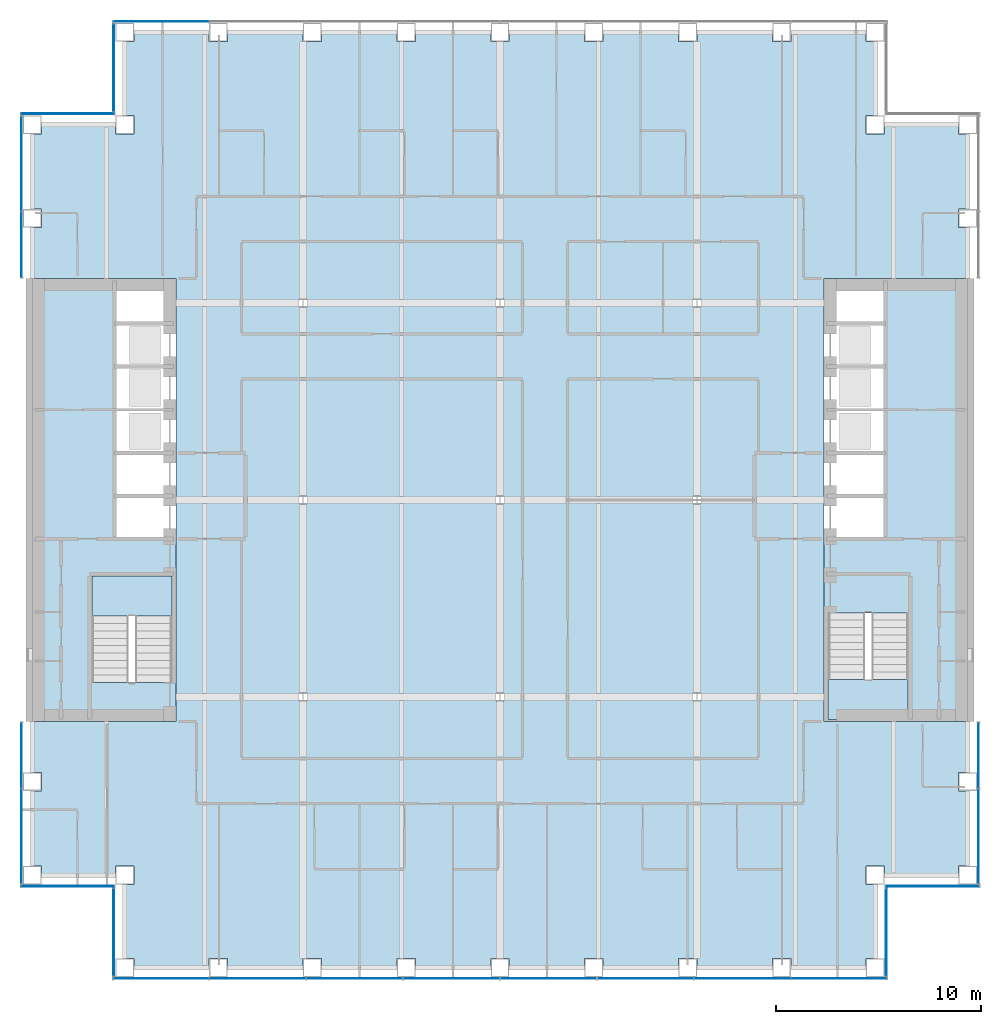
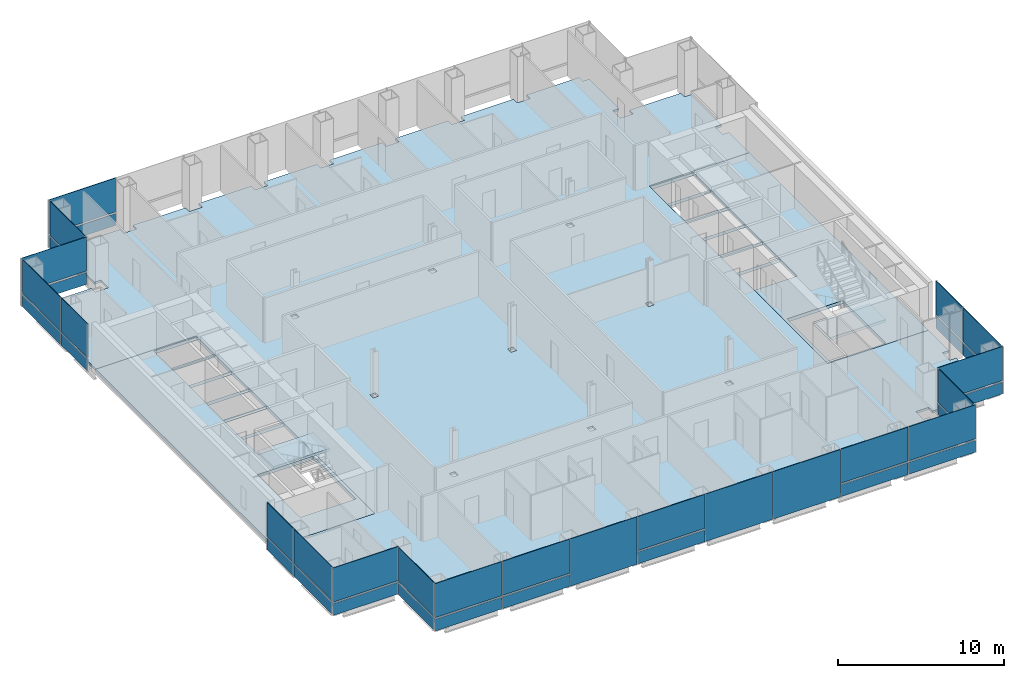
# One storey, part 9 of 16: 39 plates, 5 slabs, 13 elements without a shape of their own.
"""IFC4 building model written with IfcOpenShell, lengths in metres."""

from ifc_helpers import new_model, si_unit, direction, frame, origin, origin_2d, place, context, subcontext, project, spatial, polyline, rectangle, outline, extrude, material, layer, layer_set, type_object, element, aggregate, save


model = new_model("IFC4")

# Units and contexts
model_context = context("Model", 3, precision=1e-05, world=origin(), true_north=direction((0.0, 1.0)))
body_context = subcontext(model_context, "Body", "Model", "MODEL_VIEW")
ifc_project = project(units=[si_unit("LENGTHUNIT", "METRE"), si_unit("AREAUNIT", "SQUARE_METRE"), si_unit("VOLUMEUNIT", "CUBIC_METRE"), si_unit("PLANEANGLEUNIT", "RADIAN"), si_unit("MASSUNIT", "GRAM", prefix="KILO")], contexts=[model_context])

# Site, building, storey
site_placement = place(None, origin())
site = spatial("IfcSite", under=ifc_project, at=site_placement, CompositionType="ELEMENT")
building_placement = place(site_placement, origin())
building = spatial("IfcBuilding", under=site, at=building_placement, Name="Cobrizo Arcos Hotel Tower", CompositionType="ELEMENT")
storey_placement = place(building_placement, frame((0.0, 0.0, 92.5)))
storey = spatial("IfcBuildingStorey", under=building, at=storey_placement, Name="L22", CompositionType="ELEMENT", Elevation=92.5)

# Curtain wall, plates
ifc_material_1 = material(Name="Aluminium 6063-T6 anodised bronze", Category="aluminium")
curtain_wall_type = type_object("IfcCurtainWallType", Name="CW-A guest facade", PredefinedType="NOTDEFINED", material=ifc_material_1)
curtain_wall_1_placement = place(storey_placement, origin())
curtain_wall_1 = element("IfcCurtainWall", 1, at=curtain_wall_1_placement, inside=storey, type_object=curtain_wall_type, Name="CW-A L22 S face", PredefinedType="NOTDEFINED")
ifc_material_2 = material(Name="Glass clear laminated low-e", Category="glass")
ifc_layer_1 = layer(ifc_material_2, 0.0400390625)
ifc_layer_set_1 = layer_set([ifc_layer_1], Name="CW-A glass panel")
plate_type_1 = type_object("IfcPlateType", Name="CW-A glass panel", PredefinedType="CURTAIN_PANEL", material=ifc_layer_set_1)
plate_1_placement = place(storey_placement, frame((-16.5224609375, -23.324951171875, 0.990234375), z_axis=(0.0, 0.0, 1.0), x_axis=(1.0, 0.0, 0.0)))
plate_1 = element("IfcPlate", 2, at=plate_1_placement, type_object=plate_type_1, Name="CW-A glass panel 883", PredefinedType="CURTAIN_PANEL", context=body_context, shape_type="SweptSolid", body=[
    extrude(rectangle(XDim=4.635009765625, YDim=0.0400390625, at=origin_2d()), origin(), (0.0, 0.0, 1.0), 2.510009765625),
])
plate_2_placement = place(storey_placement, frame((-11.8125, -23.324951171875, 0.990234375), z_axis=(0.0, 0.0, 1.0), x_axis=(1.0, 0.0, 0.0)))
plate_2 = element("IfcPlate", 3, at=plate_2_placement, type_object=plate_type_1, Name="CW-A glass panel 884", PredefinedType="CURTAIN_PANEL", context=body_context, shape_type="SweptSolid", body=[
    extrude(rectangle(XDim=4.6650390625, YDim=0.0400390625, at=origin_2d()), origin(), (0.0, 0.0, 1.0), 2.510009765625),
])
plate_3_placement = place(storey_placement, frame((-2.362548828125, -23.324951171875, 0.990234375), z_axis=(0.0, 0.0, 1.0), x_axis=(1.0, 0.0, 0.0)))
plate_3 = element("IfcPlate", 4, at=plate_3_placement, type_object=plate_type_1, Name="CW-A glass panel 886", PredefinedType="CURTAIN_PANEL", context=body_context, shape_type="SweptSolid", body=[
    extrude(rectangle(XDim=4.6650390625, YDim=0.0400390625, at=origin_2d()), origin(), (0.0, 0.0, 1.0), 2.510009765625),
])
plate_4_placement = place(storey_placement, frame((11.8125, -23.324951171875, 0.990234375), z_axis=(0.0, 0.0, 1.0), x_axis=(1.0, 0.0, 0.0)))
plate_4 = element("IfcPlate", 5, at=plate_4_placement, type_object=plate_type_1, Name="CW-A glass panel 889", PredefinedType="CURTAIN_PANEL", context=body_context, shape_type="SweptSolid", body=[
    extrude(rectangle(XDim=4.6650390625, YDim=0.0400390625, at=origin_2d()), origin(), (0.0, 0.0, 1.0), 2.510009765625),
])
plate_5_placement = place(storey_placement, frame((16.5224609375, -23.324951171875, 0.990234375), z_axis=(0.0, 0.0, 1.0), x_axis=(1.0, 0.0, 0.0)))
plate_5 = element("IfcPlate", 6, at=plate_5_placement, type_object=plate_type_1, Name="CW-A glass panel 890", PredefinedType="CURTAIN_PANEL", context=body_context, shape_type="SweptSolid", body=[
    extrude(rectangle(XDim=4.635009765625, YDim=0.0400390625, at=origin_2d()), origin(), (0.0, 0.0, 1.0), 2.510009765625),
])

# Curtain wall, plate
curtain_wall_2_placement = place(storey_placement, origin())
curtain_wall_2 = element("IfcCurtainWall", 7, at=curtain_wall_2_placement, inside=storey, type_object=curtain_wall_type, Name="CW-A L22 E face", PredefinedType="NOTDEFINED")
plate_6_placement = place(storey_placement, frame((18.824951171875, -21.074951171875, 0.990234375), z_axis=(0.0, 0.0, 1.0), x_axis=(0.0, 1.0, 0.0)))
plate_6 = element("IfcPlate", 8, at=plate_6_placement, type_object=plate_type_1, Name="CW-A glass panel 891", PredefinedType="CURTAIN_PANEL", context=body_context, shape_type="SweptSolid", body=[
    extrude(rectangle(XDim=4.22998046875, YDim=0.0400390625, at=origin_2d()), origin(), (0.0, 0.0, 1.0), 2.510009765625),
])

curtain_wall_3_placement = place(storey_placement, origin())
curtain_wall_3 = element("IfcCurtainWall", 9, at=curtain_wall_3_placement, inside=storey, type_object=curtain_wall_type, Name="CW-A L22 S face", PredefinedType="NOTDEFINED")
plate_7_placement = place(storey_placement, frame((21.074951171875, -18.824951171875, 0.990234375), z_axis=(0.0, 0.0, 1.0), x_axis=(1.0, 0.0, 0.0)))
plate_7 = element("IfcPlate", 10, at=plate_7_placement, type_object=plate_type_1, Name="CW-A glass panel 892", PredefinedType="CURTAIN_PANEL", context=body_context, shape_type="SweptSolid", body=[
    extrude(rectangle(XDim=4.530029296875, YDim=0.0400390625, at=origin_2d()), origin(), (0.0, 0.0, 1.0), 2.510009765625),
])

# Curtain wall, plates
curtain_wall_4_placement = place(storey_placement, origin())
curtain_wall_4 = element("IfcCurtainWall", 11, at=curtain_wall_4_placement, inside=storey, type_object=curtain_wall_type, Name="CW-A L22 E face", PredefinedType="NOTDEFINED")
plate_8_placement = place(storey_placement, frame((23.324951171875, -16.391357421875, 0.990234375), z_axis=(0.0, 0.0, 1.0), x_axis=(0.0, 1.0, 0.0)))
plate_8 = element("IfcPlate", 12, at=plate_8_placement, type_object=plate_type_1, Name="CW-A glass panel 893", PredefinedType="CURTAIN_PANEL", context=body_context, shape_type="SweptSolid", body=[
    extrude(rectangle(XDim=4.597412109375, YDim=0.0400390625, at=origin_2d()), origin(), (0.0, 0.0, 1.0), 2.510009765625),
])
plate_9_placement = place(storey_placement, frame((23.324951171875, -12.4462890625, 0.990234375), z_axis=(0.0, 0.0, 1.0), x_axis=(0.0, 1.0, 0.0)))
plate_9 = element("IfcPlate", 13, at=plate_9_placement, type_object=plate_type_1, Name="CW-A glass panel 894", PredefinedType="CURTAIN_PANEL", context=body_context, shape_type="SweptSolid", body=[
    extrude(rectangle(XDim=3.172607421875, YDim=0.0400390625, at=origin_2d()), origin(), (0.0, 0.0, 1.0), 2.510009765625),
])

# Curtain wall, plate
curtain_wall_5_placement = place(storey_placement, origin())
curtain_wall_5 = element("IfcCurtainWall", 14, at=curtain_wall_5_placement, inside=storey, type_object=curtain_wall_type, Name="CW-A L22 N face", PredefinedType="NOTDEFINED")
plate_10_placement = place(storey_placement, frame((-16.5224609375, 23.324951171875, 0.990234375), z_axis=(0.0, 0.0, 1.0), x_axis=(-1.0, 0.0, 0.0)))
plate_10 = element("IfcPlate", 15, at=plate_10_placement, type_object=plate_type_1, Name="CW-A glass panel 906", PredefinedType="CURTAIN_PANEL", context=body_context, shape_type="SweptSolid", body=[
    extrude(rectangle(XDim=4.635009765625, YDim=0.0400390625, at=origin_2d()), origin(), (0.0, 0.0, 1.0), 2.510009765625),
])

curtain_wall_6_placement = place(storey_placement, origin())
curtain_wall_6 = element("IfcCurtainWall", 16, at=curtain_wall_6_placement, inside=storey, type_object=curtain_wall_type, Name="CW-A L22 W face", PredefinedType="NOTDEFINED")
plate_11_placement = place(storey_placement, frame((-18.824951171875, 21.074951171875, 0.990234375), z_axis=(0.0, 0.0, 1.0), x_axis=(0.0, -1.0, 0.0)))
plate_11 = element("IfcPlate", 17, at=plate_11_placement, type_object=plate_type_1, Name="CW-A glass panel 907", PredefinedType="CURTAIN_PANEL", context=body_context, shape_type="SweptSolid", body=[
    extrude(rectangle(XDim=4.22998046875, YDim=0.0400390625, at=origin_2d()), origin(), (0.0, 0.0, 1.0), 2.510009765625),
])

curtain_wall_7_placement = place(storey_placement, origin())
curtain_wall_7 = element("IfcCurtainWall", 18, at=curtain_wall_7_placement, inside=storey, type_object=curtain_wall_type, Name="CW-A L22 N face", PredefinedType="NOTDEFINED")
plate_12_placement = place(storey_placement, frame((-21.074951171875, 18.824951171875, 0.990234375), z_axis=(0.0, 0.0, 1.0), x_axis=(-1.0, 0.0, 0.0)))
plate_12 = element("IfcPlate", 19, at=plate_12_placement, type_object=plate_type_1, Name="CW-A glass panel 908", PredefinedType="CURTAIN_PANEL", context=body_context, shape_type="SweptSolid", body=[
    extrude(rectangle(XDim=4.530029296875, YDim=0.0400390625, at=origin_2d()), origin(), (0.0, 0.0, 1.0), 2.510009765625),
])

# Curtain wall, plates
curtain_wall_8_placement = place(storey_placement, origin())
curtain_wall_8 = element("IfcCurtainWall", 20, at=curtain_wall_8_placement, inside=storey, type_object=curtain_wall_type, Name="CW-A L22 W face", PredefinedType="NOTDEFINED")
plate_13_placement = place(storey_placement, frame((-23.324951171875, 16.391357421875, 0.990234375), z_axis=(0.0, 0.0, 1.0), x_axis=(0.0, -1.0, 0.0)))
plate_13 = element("IfcPlate", 21, at=plate_13_placement, type_object=plate_type_1, Name="CW-A glass panel 909", PredefinedType="CURTAIN_PANEL", context=body_context, shape_type="SweptSolid", body=[
    extrude(rectangle(XDim=4.597412109375, YDim=0.0400390625, at=origin_2d()), origin(), (0.0, 0.0, 1.0), 2.510009765625),
])
plate_14_placement = place(storey_placement, frame((-23.324951171875, 12.4462890625, 0.990234375), z_axis=(0.0, 0.0, 1.0), x_axis=(0.0, -1.0, 0.0)))
plate_14 = element("IfcPlate", 22, at=plate_14_placement, type_object=plate_type_1, Name="CW-A glass panel 910", PredefinedType="CURTAIN_PANEL", context=body_context, shape_type="SweptSolid", body=[
    extrude(rectangle(XDim=3.172607421875, YDim=0.0400390625, at=origin_2d()), origin(), (0.0, 0.0, 1.0), 2.510009765625),
])

curtain_wall_9_placement = place(storey_placement, origin())
curtain_wall_9 = element("IfcCurtainWall", 23, at=curtain_wall_9_placement, inside=storey, type_object=curtain_wall_type, Name="CW-A L22 W face", PredefinedType="NOTDEFINED")
plate_15_placement = place(storey_placement, frame((-23.324951171875, -12.4462890625, 0.990234375), z_axis=(0.0, 0.0, 1.0), x_axis=(0.0, -1.0, 0.0)))
plate_15 = element("IfcPlate", 24, at=plate_15_placement, type_object=plate_type_1, Name="CW-A glass panel 911", PredefinedType="CURTAIN_PANEL", context=body_context, shape_type="SweptSolid", body=[
    extrude(rectangle(XDim=3.172607421875, YDim=0.0400390625, at=origin_2d()), origin(), (0.0, 0.0, 1.0), 2.510009765625),
])
plate_16_placement = place(storey_placement, frame((-23.324951171875, -16.391357421875, 0.990234375), z_axis=(0.0, 0.0, 1.0), x_axis=(0.0, -1.0, 0.0)))
plate_16 = element("IfcPlate", 25, at=plate_16_placement, type_object=plate_type_1, Name="CW-A glass panel 912", PredefinedType="CURTAIN_PANEL", context=body_context, shape_type="SweptSolid", body=[
    extrude(rectangle(XDim=4.597412109375, YDim=0.0400390625, at=origin_2d()), origin(), (0.0, 0.0, 1.0), 2.510009765625),
])

# Curtain wall, plate
curtain_wall_10_placement = place(storey_placement, origin())
curtain_wall_10 = element("IfcCurtainWall", 26, at=curtain_wall_10_placement, inside=storey, type_object=curtain_wall_type, Name="CW-A L22 S face", PredefinedType="NOTDEFINED")
plate_17_placement = place(storey_placement, frame((-21.074951171875, -18.824951171875, 0.990234375), z_axis=(0.0, 0.0, 1.0), x_axis=(1.0, 0.0, 0.0)))
plate_17 = element("IfcPlate", 27, at=plate_17_placement, type_object=plate_type_1, Name="CW-A glass panel 913", PredefinedType="CURTAIN_PANEL", context=body_context, shape_type="SweptSolid", body=[
    extrude(rectangle(XDim=4.530029296875, YDim=0.0400390625, at=origin_2d()), origin(), (0.0, 0.0, 1.0), 2.510009765625),
])

curtain_wall_11_placement = place(storey_placement, origin())
curtain_wall_11 = element("IfcCurtainWall", 28, at=curtain_wall_11_placement, inside=storey, type_object=curtain_wall_type, Name="CW-A L22 W face", PredefinedType="NOTDEFINED")
plate_18_placement = place(storey_placement, frame((-18.824951171875, -21.074951171875, 0.990234375), z_axis=(0.0, 0.0, 1.0), x_axis=(0.0, -1.0, 0.0)))
plate_18 = element("IfcPlate", 29, at=plate_18_placement, type_object=plate_type_1, Name="CW-A glass panel 914", PredefinedType="CURTAIN_PANEL", context=body_context, shape_type="SweptSolid", body=[
    extrude(rectangle(XDim=4.22998046875, YDim=0.0400390625, at=origin_2d()), origin(), (0.0, 0.0, 1.0), 2.510009765625),
])

# Plate
ifc_material_3 = material(Name="Aluminium composite panel pale metal", Category="aluminium")
ifc_layer_2 = layer(ifc_material_3, 0.0400390625)
ifc_layer_set_2 = layer_set([ifc_layer_2], Name="CW-A spandrel panel")
plate_type_2 = type_object("IfcPlateType", Name="CW-A spandrel panel", PredefinedType="CURTAIN_PANEL", material=ifc_layer_set_2)
plate_19_placement = place(storey_placement, frame((-16.5224609375, -23.324951171875, 0.0), z_axis=(0.0, 0.0, 1.0), x_axis=(1.0, 0.0, 0.0)))
plate_19 = element("IfcPlate", 30, at=plate_19_placement, type_object=plate_type_2, Name="CW-A spandrel panel 883", PredefinedType="CURTAIN_PANEL", context=body_context, shape_type="SweptSolid", body=[
    extrude(rectangle(XDim=4.635009765625, YDim=0.0400390625, at=origin_2d()), origin(), (0.0, 0.0, 1.0), 0.8701171875),
])

plate_20_placement = place(storey_placement, frame((-11.8125, -23.324951171875, 0.0), z_axis=(0.0, 0.0, 1.0), x_axis=(1.0, 0.0, 0.0)))
plate_20 = element("IfcPlate", 31, at=plate_20_placement, type_object=plate_type_2, Name="CW-A spandrel panel 884", PredefinedType="CURTAIN_PANEL", context=body_context, shape_type="SweptSolid", body=[
    extrude(rectangle(XDim=4.6650390625, YDim=0.0400390625, at=origin_2d()), origin(), (0.0, 0.0, 1.0), 0.8701171875),
])

plate_21_placement = place(storey_placement, frame((-7.08740234375, -23.324951171875, 0.0), z_axis=(0.0, 0.0, 1.0), x_axis=(1.0, 0.0, 0.0)))
plate_21 = element("IfcPlate", 32, at=plate_21_placement, type_object=plate_type_2, Name="CW-A spandrel panel 885", PredefinedType="CURTAIN_PANEL", context=body_context, shape_type="SweptSolid", body=[
    extrude(rectangle(XDim=4.6650390625, YDim=0.0400390625, at=origin_2d()), origin(), (0.0, 0.0, 1.0), 3.5),
])

plate_22_placement = place(storey_placement, frame((-2.362548828125, -23.324951171875, 0.0), z_axis=(0.0, 0.0, 1.0), x_axis=(1.0, 0.0, 0.0)))
plate_22 = element("IfcPlate", 33, at=plate_22_placement, type_object=plate_type_2, Name="CW-A spandrel panel 886", PredefinedType="CURTAIN_PANEL", context=body_context, shape_type="SweptSolid", body=[
    extrude(rectangle(XDim=4.6650390625, YDim=0.0400390625, at=origin_2d()), origin(), (0.0, 0.0, 1.0), 0.8701171875),
])

plate_23_placement = place(storey_placement, frame((2.362548828125, -23.324951171875, 0.0), z_axis=(0.0, 0.0, 1.0), x_axis=(1.0, 0.0, 0.0)))
plate_23 = element("IfcPlate", 34, at=plate_23_placement, type_object=plate_type_2, Name="CW-A spandrel panel 887", PredefinedType="CURTAIN_PANEL", context=body_context, shape_type="SweptSolid", body=[
    extrude(rectangle(XDim=4.6650390625, YDim=0.0400390625, at=origin_2d()), origin(), (0.0, 0.0, 1.0), 3.5),
])

plate_24_placement = place(storey_placement, frame((7.08740234375, -23.324951171875, 0.0), z_axis=(0.0, 0.0, 1.0), x_axis=(1.0, 0.0, 0.0)))
plate_24 = element("IfcPlate", 35, at=plate_24_placement, type_object=plate_type_2, Name="CW-A spandrel panel 888", PredefinedType="CURTAIN_PANEL", context=body_context, shape_type="SweptSolid", body=[
    extrude(rectangle(XDim=4.6650390625, YDim=0.0400390625, at=origin_2d()), origin(), (0.0, 0.0, 1.0), 3.5),
])

plate_25_placement = place(storey_placement, frame((11.8125, -23.324951171875, 0.0), z_axis=(0.0, 0.0, 1.0), x_axis=(1.0, 0.0, 0.0)))
plate_25 = element("IfcPlate", 36, at=plate_25_placement, type_object=plate_type_2, Name="CW-A spandrel panel 889", PredefinedType="CURTAIN_PANEL", context=body_context, shape_type="SweptSolid", body=[
    extrude(rectangle(XDim=4.6650390625, YDim=0.0400390625, at=origin_2d()), origin(), (0.0, 0.0, 1.0), 0.8701171875),
])

plate_26_placement = place(storey_placement, frame((16.5224609375, -23.324951171875, 0.0), z_axis=(0.0, 0.0, 1.0), x_axis=(1.0, 0.0, 0.0)))
plate_26 = element("IfcPlate", 37, at=plate_26_placement, type_object=plate_type_2, Name="CW-A spandrel panel 890", PredefinedType="CURTAIN_PANEL", context=body_context, shape_type="SweptSolid", body=[
    extrude(rectangle(XDim=4.635009765625, YDim=0.0400390625, at=origin_2d()), origin(), (0.0, 0.0, 1.0), 0.8701171875),
])

aggregate(curtain_wall_1, [plate_19, plate_1, plate_20, plate_2, plate_21, plate_22, plate_3, plate_23, plate_24, plate_25, plate_4, plate_26, plate_5])

plate_27_placement = place(storey_placement, frame((18.824951171875, -21.074951171875, 0.0), z_axis=(0.0, 0.0, 1.0), x_axis=(0.0, 1.0, 0.0)))
plate_27 = element("IfcPlate", 38, at=plate_27_placement, type_object=plate_type_2, Name="CW-A spandrel panel 891", PredefinedType="CURTAIN_PANEL", context=body_context, shape_type="SweptSolid", body=[
    extrude(rectangle(XDim=4.22998046875, YDim=0.0400390625, at=origin_2d()), origin(), (0.0, 0.0, 1.0), 0.8701171875),
])

aggregate(curtain_wall_2, [plate_27, plate_6])

plate_28_placement = place(storey_placement, frame((21.074951171875, -18.824951171875, 0.0), z_axis=(0.0, 0.0, 1.0), x_axis=(1.0, 0.0, 0.0)))
plate_28 = element("IfcPlate", 39, at=plate_28_placement, type_object=plate_type_2, Name="CW-A spandrel panel 892", PredefinedType="CURTAIN_PANEL", context=body_context, shape_type="SweptSolid", body=[
    extrude(rectangle(XDim=4.530029296875, YDim=0.0400390625, at=origin_2d()), origin(), (0.0, 0.0, 1.0), 0.8701171875),
])

aggregate(curtain_wall_3, [plate_28, plate_7])

plate_29_placement = place(storey_placement, frame((23.324951171875, -16.391357421875, 0.0), z_axis=(0.0, 0.0, 1.0), x_axis=(0.0, 1.0, 0.0)))
plate_29 = element("IfcPlate", 40, at=plate_29_placement, type_object=plate_type_2, Name="CW-A spandrel panel 893", PredefinedType="CURTAIN_PANEL", context=body_context, shape_type="SweptSolid", body=[
    extrude(rectangle(XDim=4.597412109375, YDim=0.0400390625, at=origin_2d()), origin(), (0.0, 0.0, 1.0), 0.8701171875),
])

plate_30_placement = place(storey_placement, frame((23.324951171875, -12.4462890625, 0.0), z_axis=(0.0, 0.0, 1.0), x_axis=(0.0, 1.0, 0.0)))
plate_30 = element("IfcPlate", 41, at=plate_30_placement, type_object=plate_type_2, Name="CW-A spandrel panel 894", PredefinedType="CURTAIN_PANEL", context=body_context, shape_type="SweptSolid", body=[
    extrude(rectangle(XDim=3.172607421875, YDim=0.0400390625, at=origin_2d()), origin(), (0.0, 0.0, 1.0), 0.8701171875),
])

aggregate(curtain_wall_4, [plate_29, plate_8, plate_30, plate_9])

plate_31_placement = place(storey_placement, frame((-16.5224609375, 23.324951171875, 0.0), z_axis=(0.0, 0.0, 1.0), x_axis=(-1.0, 0.0, 0.0)))
plate_31 = element("IfcPlate", 42, at=plate_31_placement, type_object=plate_type_2, Name="CW-A spandrel panel 906", PredefinedType="CURTAIN_PANEL", context=body_context, shape_type="SweptSolid", body=[
    extrude(rectangle(XDim=4.635009765625, YDim=0.0400390625, at=origin_2d()), origin(), (0.0, 0.0, 1.0), 0.8701171875),
])

aggregate(curtain_wall_5, [plate_31, plate_10])

plate_32_placement = place(storey_placement, frame((-18.824951171875, 21.074951171875, 0.0), z_axis=(0.0, 0.0, 1.0), x_axis=(0.0, -1.0, 0.0)))
plate_32 = element("IfcPlate", 43, at=plate_32_placement, type_object=plate_type_2, Name="CW-A spandrel panel 907", PredefinedType="CURTAIN_PANEL", context=body_context, shape_type="SweptSolid", body=[
    extrude(rectangle(XDim=4.22998046875, YDim=0.0400390625, at=origin_2d()), origin(), (0.0, 0.0, 1.0), 0.8701171875),
])

aggregate(curtain_wall_6, [plate_32, plate_11])

plate_33_placement = place(storey_placement, frame((-21.074951171875, 18.824951171875, 0.0), z_axis=(0.0, 0.0, 1.0), x_axis=(-1.0, 0.0, 0.0)))
plate_33 = element("IfcPlate", 44, at=plate_33_placement, type_object=plate_type_2, Name="CW-A spandrel panel 908", PredefinedType="CURTAIN_PANEL", context=body_context, shape_type="SweptSolid", body=[
    extrude(rectangle(XDim=4.530029296875, YDim=0.0400390625, at=origin_2d()), origin(), (0.0, 0.0, 1.0), 0.8701171875),
])

aggregate(curtain_wall_7, [plate_33, plate_12])

plate_34_placement = place(storey_placement, frame((-23.324951171875, 16.391357421875, 0.0), z_axis=(0.0, 0.0, 1.0), x_axis=(0.0, -1.0, 0.0)))
plate_34 = element("IfcPlate", 45, at=plate_34_placement, type_object=plate_type_2, Name="CW-A spandrel panel 909", PredefinedType="CURTAIN_PANEL", context=body_context, shape_type="SweptSolid", body=[
    extrude(rectangle(XDim=4.597412109375, YDim=0.0400390625, at=origin_2d()), origin(), (0.0, 0.0, 1.0), 0.8701171875),
])

plate_35_placement = place(storey_placement, frame((-23.324951171875, 12.4462890625, 0.0), z_axis=(0.0, 0.0, 1.0), x_axis=(0.0, -1.0, 0.0)))
plate_35 = element("IfcPlate", 46, at=plate_35_placement, type_object=plate_type_2, Name="CW-A spandrel panel 910", PredefinedType="CURTAIN_PANEL", context=body_context, shape_type="SweptSolid", body=[
    extrude(rectangle(XDim=3.172607421875, YDim=0.0400390625, at=origin_2d()), origin(), (0.0, 0.0, 1.0), 0.8701171875),
])

aggregate(curtain_wall_8, [plate_34, plate_13, plate_35, plate_14])

plate_36_placement = place(storey_placement, frame((-23.324951171875, -12.4462890625, 0.0), z_axis=(0.0, 0.0, 1.0), x_axis=(0.0, -1.0, 0.0)))
plate_36 = element("IfcPlate", 47, at=plate_36_placement, type_object=plate_type_2, Name="CW-A spandrel panel 911", PredefinedType="CURTAIN_PANEL", context=body_context, shape_type="SweptSolid", body=[
    extrude(rectangle(XDim=3.172607421875, YDim=0.0400390625, at=origin_2d()), origin(), (0.0, 0.0, 1.0), 0.8701171875),
])

plate_37_placement = place(storey_placement, frame((-23.324951171875, -16.391357421875, 0.0), z_axis=(0.0, 0.0, 1.0), x_axis=(0.0, -1.0, 0.0)))
plate_37 = element("IfcPlate", 48, at=plate_37_placement, type_object=plate_type_2, Name="CW-A spandrel panel 912", PredefinedType="CURTAIN_PANEL", context=body_context, shape_type="SweptSolid", body=[
    extrude(rectangle(XDim=4.597412109375, YDim=0.0400390625, at=origin_2d()), origin(), (0.0, 0.0, 1.0), 0.8701171875),
])

aggregate(curtain_wall_9, [plate_36, plate_15, plate_37, plate_16])

plate_38_placement = place(storey_placement, frame((-21.074951171875, -18.824951171875, 0.0), z_axis=(0.0, 0.0, 1.0), x_axis=(1.0, 0.0, 0.0)))
plate_38 = element("IfcPlate", 49, at=plate_38_placement, type_object=plate_type_2, Name="CW-A spandrel panel 913", PredefinedType="CURTAIN_PANEL", context=body_context, shape_type="SweptSolid", body=[
    extrude(rectangle(XDim=4.530029296875, YDim=0.0400390625, at=origin_2d()), origin(), (0.0, 0.0, 1.0), 0.8701171875),
])

aggregate(curtain_wall_10, [plate_38, plate_17])

plate_39_placement = place(storey_placement, frame((-18.824951171875, -21.074951171875, 0.0), z_axis=(0.0, 0.0, 1.0), x_axis=(0.0, -1.0, 0.0)))
plate_39 = element("IfcPlate", 50, at=plate_39_placement, type_object=plate_type_2, Name="CW-A spandrel panel 914", PredefinedType="CURTAIN_PANEL", context=body_context, shape_type="SweptSolid", body=[
    extrude(rectangle(XDim=4.22998046875, YDim=0.0400390625, at=origin_2d()), origin(), (0.0, 0.0, 1.0), 0.8701171875),
])

aggregate(curtain_wall_11, [plate_39, plate_18])

# Slabs
ifc_material_4 = material(Name="Concrete f'c 35 MPa", Category="concrete")
ifc_layer_3 = layer(ifc_material_4, 0.14990234375)
ifc_layer_set_3 = layer_set([ifc_layer_3], Name="Composite floor slab 150 f'c 35")
slab_type_1 = type_object("IfcSlabType", Name="Composite floor slab 150 f'c 35", PredefinedType="FLOOR", material=ifc_layer_set_3)
slab_1_placement = place(storey_placement, frame((0.0, 0.0, -0.14990234375)))
element("IfcSlab", 51, at=slab_1_placement, inside=storey, type_object=slab_type_1, Name="Floor slab S5, L22, no. 01", PredefinedType="FLOOR", context=body_context, shape_type="SweptSolid", body=[
    extrude(outline(polyline([(-17.85009765625, -22.800048828125), (-17.85009765625, -22.35009765625), (-18.300048828125, -22.35009765625), (-18.300048828125, -18.75), (-17.85009765625, -18.75), (-17.85009765625, -17.85009765625), (-18.75, -17.85009765625), (-18.75, -18.300048828125), (-22.35009765625, -18.300048828125), (-22.35009765625, -17.85009765625), (-22.800048828125, -17.85009765625), (-22.800048828125, -14.175048828125), (-22.35009765625, -14.175048828125), (-22.35009765625, -13.27490234375), (-22.800048828125, -13.27490234375), (-22.800048828125, -10.800048828125), (-15.800048828125, -10.800048828125), (-15.800048828125, 10.800048828125), (-22.800048828125, 10.800048828125), (-22.800048828125, 13.27490234375), (-22.35009765625, 13.27490234375), (-22.35009765625, 14.175048828125), (-22.800048828125, 14.175048828125), (-22.800048828125, 17.85009765625), (-22.35009765625, 17.85009765625), (-22.35009765625, 18.300048828125), (-18.75, 18.300048828125), (-18.75, 17.85009765625), (-17.85009765625, 17.85009765625), (-17.85009765625, 18.75), (-18.300048828125, 18.75), (-18.300048828125, 22.35009765625), (-17.85009765625, 22.35009765625), (-17.85009765625, 22.800048828125), (-14.175048828125, 22.800048828125), (-14.175048828125, 22.35009765625), (-13.27490234375, 22.35009765625), (-13.27490234375, 22.800048828125), (-9.60009765625, 22.800048828125), (-9.60009765625, 22.35009765625), (-8.699951171875, 22.35009765625), (-8.699951171875, 22.800048828125), (-5.02490234375, 22.800048828125), (-5.02490234375, 22.35009765625), (-4.125, 22.35009765625), (-4.125, 22.800048828125), (-0.449951171875, 22.800048828125), (-0.449951171875, 22.35009765625), (0.449951171875, 22.35009765625), (0.449951171875, 22.800048828125), (4.125, 22.800048828125), (4.125, 22.35009765625), (5.02490234375, 22.35009765625), (5.02490234375, 22.800048828125), (8.699951171875, 22.800048828125), (8.699951171875, 22.35009765625), (9.60009765625, 22.35009765625), (9.60009765625, 22.800048828125), (13.27490234375, 22.800048828125), (13.27490234375, 22.35009765625), (14.175048828125, 22.35009765625), (14.175048828125, 22.800048828125), (17.85009765625, 22.800048828125), (17.85009765625, 22.35009765625), (18.300048828125, 22.35009765625), (18.300048828125, 18.75), (17.85009765625, 18.75), (17.85009765625, 17.85009765625), (18.75, 17.85009765625), (18.75, 18.300048828125), (22.35009765625, 18.300048828125), (22.35009765625, 17.85009765625), (22.800048828125, 17.85009765625), (22.800048828125, 14.175048828125), (22.35009765625, 14.175048828125), (22.35009765625, 13.27490234375), (22.800048828125, 13.27490234375), (22.800048828125, 10.800048828125), (15.800048828125, 10.800048828125), (15.800048828125, -10.800048828125), (22.800048828125, -10.800048828125), (22.800048828125, -13.27490234375), (22.35009765625, -13.27490234375), (22.35009765625, -14.175048828125), (22.800048828125, -14.175048828125), (22.800048828125, -17.85009765625), (22.35009765625, -17.85009765625), (22.35009765625, -18.300048828125), (18.75, -18.300048828125), (18.75, -17.85009765625), (17.85009765625, -17.85009765625), (17.85009765625, -18.75), (18.300048828125, -18.75), (18.300048828125, -22.35009765625), (17.85009765625, -22.35009765625), (17.85009765625, -22.800048828125), (14.175048828125, -22.800048828125), (14.175048828125, -22.35009765625), (13.27490234375, -22.35009765625), (13.27490234375, -22.800048828125), (9.60009765625, -22.800048828125), (9.60009765625, -22.35009765625), (8.699951171875, -22.35009765625), (8.699951171875, -22.800048828125), (5.02490234375, -22.800048828125), (5.02490234375, -22.35009765625), (4.125, -22.35009765625), (4.125, -22.800048828125), (0.449951171875, -22.800048828125), (0.449951171875, -22.35009765625), (-0.449951171875, -22.35009765625), (-0.449951171875, -22.800048828125), (-4.125, -22.800048828125), (-4.125, -22.35009765625), (-5.02490234375, -22.35009765625), (-5.02490234375, -22.800048828125), (-8.699951171875, -22.800048828125), (-8.699951171875, -22.35009765625), (-9.60009765625, -22.35009765625), (-9.60009765625, -22.800048828125), (-13.27490234375, -22.800048828125), (-13.27490234375, -22.35009765625), (-14.175048828125, -22.35009765625), (-14.175048828125, -22.800048828125), (-17.85009765625, -22.800048828125)]), holes=[polyline([(-9.400634765625, -9.79931640625), (-9.400634765625, -9.400634765625), (-9.79931640625, -9.400634765625), (-9.79931640625, -9.79931640625), (-9.400634765625, -9.79931640625)]), polyline([(-9.400634765625, -0.199462890625), (-9.400634765625, 0.199462890625), (-9.79931640625, 0.199462890625), (-9.79931640625, -0.199462890625), (-9.400634765625, -0.199462890625)]), polyline([(-9.79931640625, 9.400634765625), (-9.400634765625, 9.400634765625), (-9.400634765625, 9.79931640625), (-9.79931640625, 9.79931640625), (-9.79931640625, 9.400634765625)]), polyline([(-0.199462890625, -9.79931640625), (0.199462890625, -9.79931640625), (0.199462890625, -9.400634765625), (-0.199462890625, -9.400634765625), (-0.199462890625, -9.79931640625)]), polyline([(0.199462890625, -0.199462890625), (0.199462890625, 0.199462890625), (-0.199462890625, 0.199462890625), (-0.199462890625, -0.199462890625), (0.199462890625, -0.199462890625)]), polyline([(0.199462890625, 9.400634765625), (0.199462890625, 9.79931640625), (-0.199462890625, 9.79931640625), (-0.199462890625, 9.400634765625), (0.199462890625, 9.400634765625)]), polyline([(9.79931640625, 9.400634765625), (9.79931640625, 9.79931640625), (9.400634765625, 9.79931640625), (9.400634765625, 9.400634765625), (9.79931640625, 9.400634765625)]), polyline([(9.400634765625, -9.79931640625), (9.79931640625, -9.79931640625), (9.79931640625, -9.400634765625), (9.400634765625, -9.400634765625), (9.400634765625, -9.79931640625)]), polyline([(9.400634765625, -0.199462890625), (9.79931640625, -0.199462890625), (9.79931640625, 0.199462890625), (9.400634765625, 0.199462890625), (9.400634765625, -0.199462890625)])]), origin(), (0.0, 0.0, 1.0), 0.14990234375),
])
ifc_material_5 = material(Name="Concrete f'c 50 MPa", Category="concrete")
ifc_layer_4 = layer(ifc_material_5, 0.25)
ifc_layer_set_4 = layer_set([ifc_layer_4], Name="RC core floor slab 250 f'c 50")
slab_type_2 = type_object("IfcSlabType", Name="RC core floor slab 250 f'c 50", PredefinedType="FLOOR", material=ifc_layer_set_4)
slab_2_placement = place(storey_placement, frame((0.0, 0.0, -0.25)))
element("IfcSlab", 52, at=slab_2_placement, inside=storey, type_object=slab_type_2, Name="Core floor slab CS5, east core, L22", PredefinedType="FLOOR", context=body_context, shape_type="SweptSolid", body=[
    extrude(outline(polyline([(15.800048828125, 10.800048828125), (22.800048828125, 10.800048828125), (22.800048828125, -10.800048828125), (15.800048828125, -10.800048828125), (15.800048828125, 10.800048828125)]), holes=[polyline([(19.89794921875, -10.697998046875), (19.89794921875, -5.501953125), (16.001953125, -5.501953125), (16.001953125, -10.697998046875), (19.89794921875, -10.697998046875)]), polyline([(15.802001953125, 0.197998046875), (15.802001953125, -1.89794921875), (18.798095703125, -1.89794921875), (18.798095703125, 0.197998046875), (15.802001953125, 0.197998046875)]), polyline([(18.798095703125, 2.298095703125), (15.802001953125, 2.298095703125), (15.802001953125, 0.201904296875), (18.798095703125, 0.201904296875), (18.798095703125, 2.298095703125)]), polyline([(18.798095703125, 4.39794921875), (15.802001953125, 4.39794921875), (15.802001953125, 2.302001953125), (18.798095703125, 2.302001953125), (18.798095703125, 4.39794921875)]), polyline([(15.802001953125, 6.498046875), (15.802001953125, 4.402099609375), (18.798095703125, 4.402099609375), (18.798095703125, 6.498046875), (15.802001953125, 6.498046875)]), polyline([(18.798095703125, 8.597900390625), (15.802001953125, 8.597900390625), (15.802001953125, 6.501953125), (18.798095703125, 6.501953125), (18.798095703125, 8.597900390625)]), polyline([(18.798095703125, 10.697998046875), (15.802001953125, 10.697998046875), (15.802001953125, 8.60205078125), (18.798095703125, 8.60205078125), (18.798095703125, 10.697998046875)])]), origin(), (0.0, 0.0, 1.0), 0.25),
])
slab_3_placement = place(storey_placement, frame((0.0, 0.0, -0.25)))
element("IfcSlab", 53, at=slab_3_placement, inside=storey, type_object=slab_type_2, Name="Core floor slab CS5, west core, L22", PredefinedType="FLOOR", context=body_context, shape_type="SweptSolid", body=[
    extrude(outline(polyline([(-22.800048828125, 10.800048828125), (-15.800048828125, 10.800048828125), (-15.800048828125, -10.800048828125), (-22.800048828125, -10.800048828125), (-22.800048828125, 10.800048828125)]), holes=[polyline([(-19.89794921875, -3.701904296875), (-19.89794921875, -8.89794921875), (-16.001953125, -8.89794921875), (-16.001953125, -3.701904296875), (-19.89794921875, -3.701904296875)]), polyline([(-18.798095703125, 0.197998046875), (-18.798095703125, -1.89794921875), (-15.802001953125, -1.89794921875), (-15.802001953125, 0.197998046875), (-18.798095703125, 0.197998046875)]), polyline([(-15.802001953125, 2.298095703125), (-18.798095703125, 2.298095703125), (-18.798095703125, 0.201904296875), (-15.802001953125, 0.201904296875), (-15.802001953125, 2.298095703125)]), polyline([(-15.802001953125, 4.39794921875), (-18.798095703125, 4.39794921875), (-18.798095703125, 2.302001953125), (-15.802001953125, 2.302001953125), (-15.802001953125, 4.39794921875)]), polyline([(-18.798095703125, 6.498046875), (-18.798095703125, 4.402099609375), (-15.802001953125, 4.402099609375), (-15.802001953125, 6.498046875), (-18.798095703125, 6.498046875)]), polyline([(-15.802001953125, 8.597900390625), (-18.798095703125, 8.597900390625), (-18.798095703125, 6.501953125), (-15.802001953125, 6.501953125), (-15.802001953125, 8.597900390625)]), polyline([(-15.802001953125, 10.697998046875), (-18.798095703125, 10.697998046875), (-18.798095703125, 8.60205078125), (-15.802001953125, 8.60205078125), (-15.802001953125, 10.697998046875)])]), origin(), (0.0, 0.0, 1.0), 0.25),
])

# Stair, slab
ifc_material_6 = material(Name="Concrete f'c 40 MPa", Category="concrete")
stair_type = type_object("IfcStairType", Name="Exit stair", PredefinedType="HALF_TURN_STAIR", material=ifc_material_6)
stair_1_placement = place(storey_placement, origin())
stair_1 = element("IfcStair", 54, at=stair_1_placement, inside=storey, type_object=stair_type, Name="L22 Exit stair ST-W", PredefinedType="HALF_TURN_STAIR")
ifc_layer_5 = layer(ifc_material_6, 0.199951171875)
ifc_layer_set_5 = layer_set([ifc_layer_5], Name="Stair landing")
slab_type_3 = type_object("IfcSlabType", Name="Stair landing", PredefinedType="LANDING", material=ifc_layer_set_5)
slab_4_placement = place(storey_placement, frame((0.0, 0.0, 1.550048828125)))
slab_4 = element("IfcSlab", 55, at=slab_4_placement, type_object=slab_type_3, Name="ST-W landing 1", PredefinedType="LANDING", context=body_context, shape_type="SweptSolid", body=[
    extrude(outline(polyline([(-16.0, -5.659912109375), (-16.0, -3.699951171875), (-19.89990234375, -3.699951171875), (-19.89990234375, -5.659912109375), (-16.0, -5.659912109375)])), origin(), (0.0, 0.0, 1.0), 0.199951171875),
])
aggregate(stair_1, [slab_4])

stair_2_placement = place(storey_placement, origin())
stair_2 = element("IfcStair", 56, at=stair_2_placement, inside=storey, type_object=stair_type, Name="L22 Exit stair ST-E", PredefinedType="HALF_TURN_STAIR")
slab_5_placement = place(storey_placement, frame((0.0, 0.0, 1.550048828125)))
slab_5 = element("IfcSlab", 57, at=slab_5_placement, type_object=slab_type_3, Name="ST-E landing 1", PredefinedType="LANDING", context=body_context, shape_type="SweptSolid", body=[
    extrude(outline(polyline([(16.0, -8.739990234375), (16.0, -10.699951171875), (19.89990234375, -10.699951171875), (19.89990234375, -8.739990234375), (16.0, -8.739990234375)])), origin(), (0.0, 0.0, 1.0), 0.199951171875),
])
aggregate(stair_2, [slab_5])

save(model, "model.ifc")
